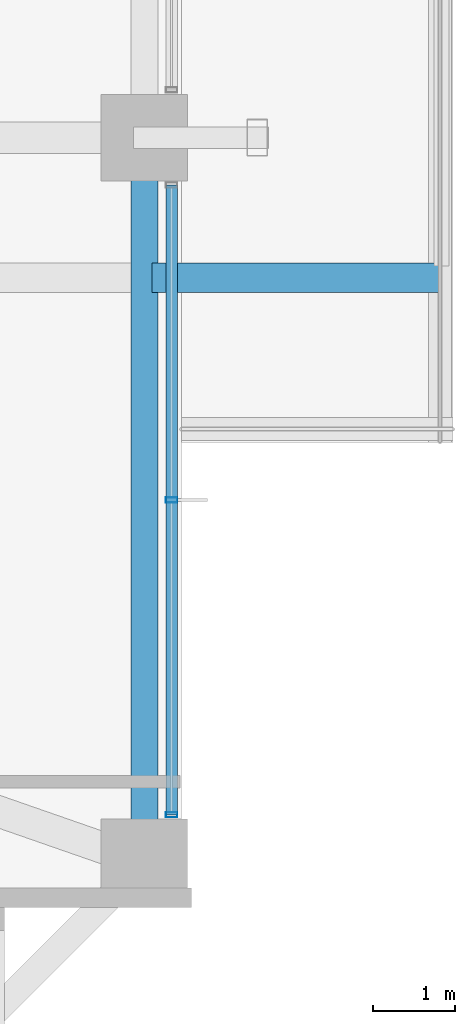
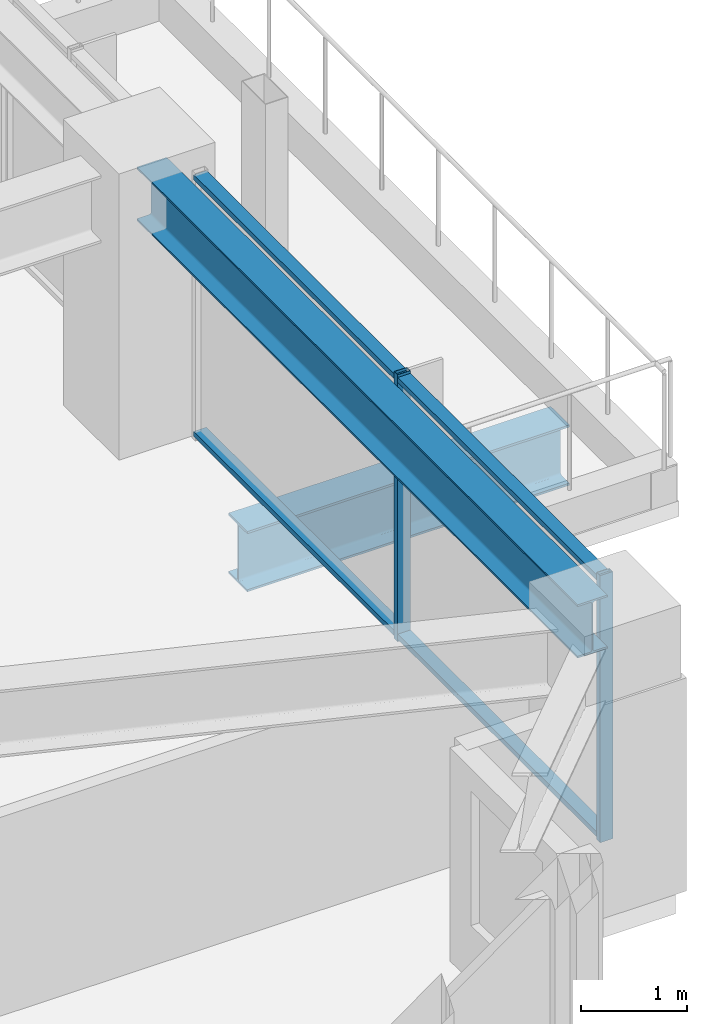
# One storey, part 13 of 37: 4 members, 2 beams, 1 element without a shape of its own.
"""IFC4 building model written with IfcOpenShell, lengths in metres."""

from ifc_helpers import new_model, si_unit, direction, frame, origin, origin_2d, place, context, subcontext, project, spatial, hollow_rectangle, i_section, extrude, material, material_profile, profile_set, type_object, element, aggregate, save


model = new_model("IFC4")

# Units and contexts
model_context = context("Model", 3, precision=1e-05, world=origin(), true_north=direction((0.0, 1.0)))
body_context = subcontext(model_context, "Body", "Model", "MODEL_VIEW")
ifc_project = project(units=[si_unit("LENGTHUNIT", "METRE"), si_unit("AREAUNIT", "SQUARE_METRE"), si_unit("VOLUMEUNIT", "CUBIC_METRE"), si_unit("PLANEANGLEUNIT", "RADIAN"), si_unit("MASSUNIT", "GRAM", prefix="KILO")], contexts=[model_context])

# Site, building, storey
site_placement = place(None, origin())
site = spatial("IfcSite", under=ifc_project, at=site_placement, CompositionType="ELEMENT")
building_placement = place(site_placement, origin())
building = spatial("IfcBuilding", under=site, at=building_placement, Name="Kolvaren Belvedere", CompositionType="ELEMENT")
storey_placement = place(building_placement, frame((0.0, 0.0, 82.10009765625)))
storey = spatial("IfcBuildingStorey", under=building, at=storey_placement, Name="L23", CompositionType="ELEMENT", Elevation=82.10009765625)

# Beams
ifc_material_1 = material(Name="Structural steel ASTM A992 Grade 50", Category="steel")
ifc_material_profile_1 = material_profile(ifc_material_1, i_section(OverallWidth=0.35498046875, OverallDepth=0.696044921875, WebThickness=0.015380859375, FlangeThickness=0.02490234375, FilletRadius=0.02197265625, at=origin_2d()), Name="W27X146")
ifc_profile_set_1 = profile_set([ifc_material_profile_1], Name="Structural steel ASTM A992 Grade 50")
beam_type_1 = type_object("IfcBeamType", Name="BM-CANT-BAL", PredefinedType="BEAM", material=ifc_profile_set_1)
beam_1_placement = place(storey_placement, frame((20.044921875, -6.300048828125, -0.568115234375), z_axis=(1.0, 0.0, 0.0), x_axis=(0.0, 1.0, 0.0)))
element("IfcBeam", 1, at=beam_1_placement, inside=storey, type_object=beam_type_1, Name="L23 Planted Balcony Cantilever SPIRAL-03-E-1", PredefinedType="BEAM", context=body_context, shape_type="SweptSolid", body=[
    extrude(i_section(OverallWidth=0.35498046875, OverallDepth=0.696044921875, WebThickness=0.015380859375, FlangeThickness=0.02490234375, FilletRadius=0.02197265625, at=origin_2d()), origin(), (0.0, 0.0, 1.0), 3.51513671875),
])
ifc_material_2 = material(Name="Structural steel ASTM A992 Grade 50", Category="steel")
ifc_material_profile_2 = material_profile(ifc_material_2, i_section(OverallWidth=0.324951171875, OverallDepth=0.615966796875, WebThickness=0.013916015625, FlangeThickness=0.021484375, FilletRadius=0.02001953125, at=origin_2d()), Name="W24X117")
ifc_profile_set_2 = profile_set([ifc_material_profile_2], Name="Structural steel ASTM A992 Grade 50")
beam_type_2 = type_object("IfcBeamType", Name="BM-SPAN-W24X117", PredefinedType="SPANDREL", material=ifc_profile_set_2)
beam_2_placement = place(storey_placement, frame((19.949951171875, -13.163818359375, 2.77197265625), z_axis=(0.0, 1.0, 0.0), x_axis=(-1.0, 0.0, 0.0)))
element("IfcBeam", 2, at=beam_2_placement, inside=storey, type_object=beam_type_2, Name="L23 Perimeter Spandrel E1-E2", PredefinedType="SPANDREL", context=body_context, shape_type="SweptSolid", body=[
    extrude(i_section(OverallWidth=0.324951171875, OverallDepth=0.615966796875, WebThickness=0.013916015625, FlangeThickness=0.021484375, FilletRadius=0.02001953125, at=origin_2d()), origin(), (0.0, 0.0, 1.0), 8.32763671875),
])

# Curtain wall, members
ifc_material_3 = material(Name="Anodised pale-metal aluminium AA 6063-T6", Category="aluminium")
curtain_wall_type = type_object("IfcCurtainWallType", Name="CW-Z2-MID", PredefinedType="NOTDEFINED", material=ifc_material_3)
curtain_wall_placement = place(storey_placement, origin())
curtain_wall = element("IfcCurtainWall", 3, at=curtain_wall_placement, inside=storey, type_object=curtain_wall_type, Name="L23 Unitised Curtain Wall FCW-L23-E2-B2", PredefinedType="NOTDEFINED")
ifc_material_4 = material(Name="Anodised pale-metal aluminium AA 6063-T6", Category="aluminium")
ifc_material_profile_3 = material_profile(ifc_material_4, hollow_rectangle(XDim=0.06494140625, YDim=0.139892578125, WallThickness=0.00390625, at=origin_2d()), Name="ALU-MUL-140X65")
ifc_profile_set_3 = profile_set([ifc_material_profile_3], Name="Anodised pale-metal aluminium AA 6063-T6")
member_type_1 = type_object("IfcMemberType", Name="CW-MUL-140", PredefinedType="MULLION", material=ifc_profile_set_3)
member_1_placement = place(storey_placement, frame((20.280029296875, -9.0, 0.0), z_axis=(0.0, 0.0, 1.0), x_axis=(0.0, 1.0, 0.0)))
member_1 = element("IfcMember", 4, at=member_1_placement, type_object=member_type_1, Name="FCW-L23-E2-B2 Unitised Mullion 2", PredefinedType="MULLION", context=body_context, shape_type="SweptSolid", body=[
    extrude(hollow_rectangle(XDim=0.06494140625, YDim=0.139892578125, WallThickness=0.00390625, at=origin_2d()), origin(), (0.0, 0.0, 1.0), 3.079833984375),
])
member_2_placement = place(storey_placement, frame((20.280029296875, -12.822509765625, 0.0), z_axis=(0.0, 0.0, 1.0), x_axis=(0.0, 1.0, 0.0)))
member_2 = element("IfcMember", 5, at=member_2_placement, type_object=member_type_1, Name="FCW-L23-E2-B2 Unitised Mullion 3", PredefinedType="MULLION", context=body_context, shape_type="SweptSolid", body=[
    extrude(hollow_rectangle(XDim=0.06494140625, YDim=0.139892578125, WallThickness=0.00390625, at=origin_2d()), origin(), (0.0, 0.0, 1.0), 3.079833984375),
])
ifc_material_5 = material(Name="Anodised pale-metal aluminium AA 6063-T6", Category="aluminium")
ifc_material_profile_4 = material_profile(ifc_material_5, hollow_rectangle(XDim=0.06005859375, YDim=0.139892578125, WallThickness=0.00390625, at=origin_2d()), Name="ALU-TRN-140X60")
ifc_profile_set_4 = profile_set([ifc_material_profile_4], Name="Anodised pale-metal aluminium AA 6063-T6")
member_type_2 = type_object("IfcMemberType", Name="CW-TRN-140", PredefinedType="USERDEFINED", material=ifc_profile_set_4)
member_3_placement = place(storey_placement, frame((20.280029296875, -5.177490234375, 0.059814453125), z_axis=(0.0, -1.0, 0.0), x_axis=(0.0, 0.0, 1.0)))
member_3 = element("IfcMember", 6, at=member_3_placement, type_object=member_type_2, Name="FCW-L23-E2-B2 Sill Transom", ObjectType="TRANSOM", PredefinedType="USERDEFINED", context=body_context, shape_type="SweptSolid", body=[
    extrude(hollow_rectangle(XDim=0.06005859375, YDim=0.139892578125, WallThickness=0.00390625, at=origin_2d()), origin(), (0.0, 0.0, 1.0), 7.64501953125),
])
member_4_placement = place(storey_placement, frame((20.280029296875, -5.177490234375, 3.02001953125), z_axis=(0.0, -1.0, 0.0), x_axis=(0.0, 0.0, 1.0)))
member_4 = element("IfcMember", 7, at=member_4_placement, type_object=member_type_2, Name="FCW-L23-E2-B2 Head Transom", ObjectType="TRANSOM", PredefinedType="USERDEFINED", context=body_context, shape_type="SweptSolid", body=[
    extrude(hollow_rectangle(XDim=0.06005859375, YDim=0.139892578125, WallThickness=0.00390625, at=origin_2d()), origin(), (0.0, 0.0, 1.0), 7.64501953125),
])
aggregate(curtain_wall, [member_1, member_2, member_3, member_4])

save(model, "model.ifc")
